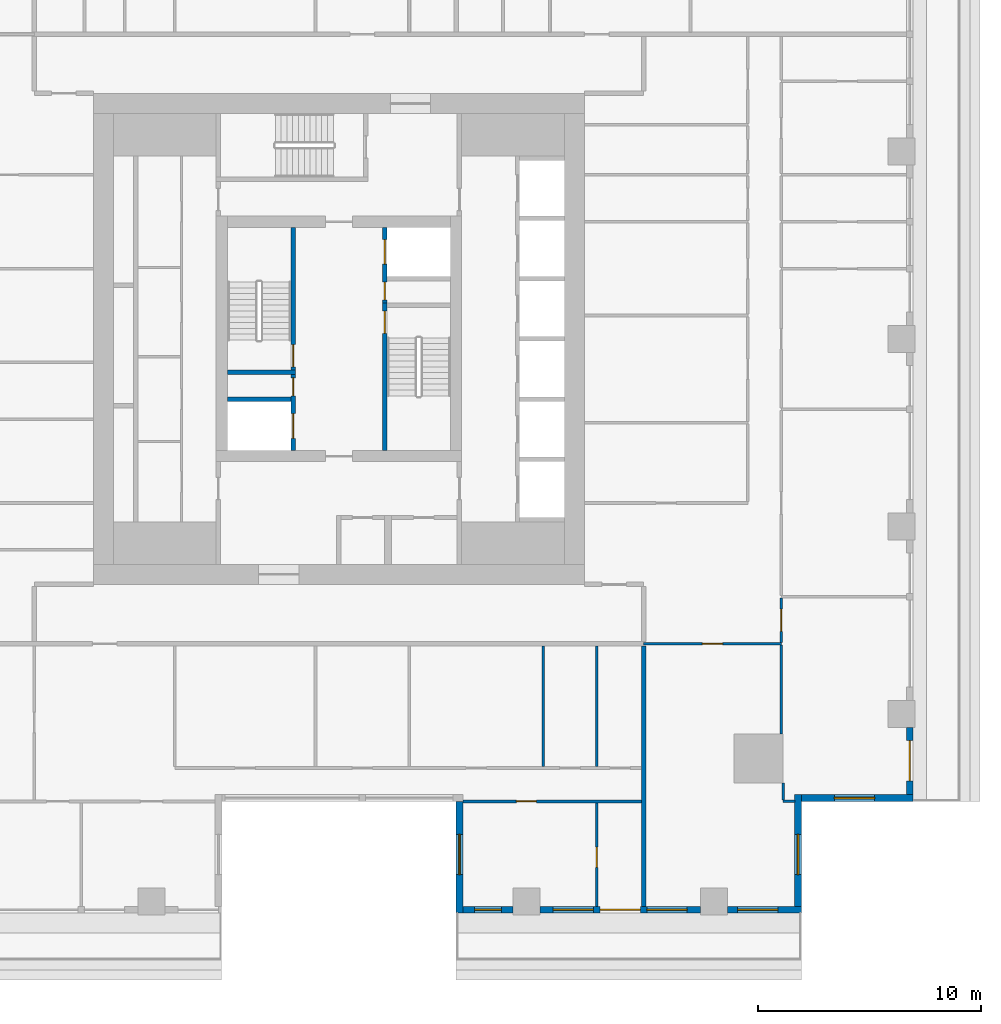
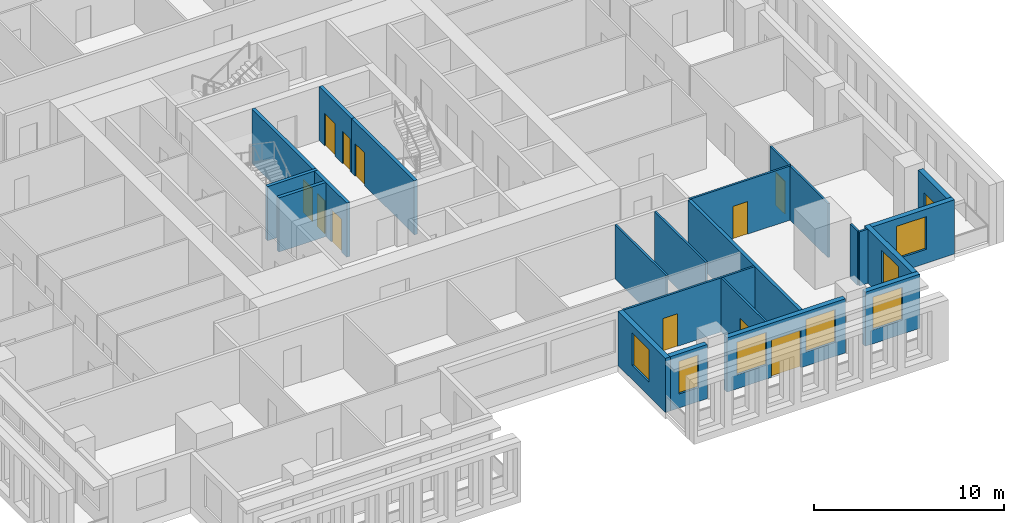
# One storey, part 4 of 15: 23 walls, 12 doors, 7 windows, 19 openings.
"""IFC4 building model written with IfcOpenShell, lengths in metres."""

from ifc_helpers import new_model, si_unit, direction, frame, frame_2d, origin, place, context, subcontext, project, spatial, rectangle, extrude, material, layer, layer_set, type_object, element, fill, save


model = new_model("IFC4")

# Units and contexts
model_context = context("Model", 3, precision=1e-05, world=origin(), true_north=direction((0.0, 1.0)))
body_context = subcontext(model_context, "Body", "Model", "MODEL_VIEW")
ifc_project = project(units=[si_unit("LENGTHUNIT", "METRE"), si_unit("AREAUNIT", "SQUARE_METRE"), si_unit("VOLUMEUNIT", "CUBIC_METRE"), si_unit("PLANEANGLEUNIT", "RADIAN"), si_unit("MASSUNIT", "GRAM", prefix="KILO")], contexts=[model_context])

# Site, building, storey
site_placement = place(None, origin())
site = spatial("IfcSite", under=ifc_project, at=site_placement, CompositionType="ELEMENT")
building_placement = place(site_placement, origin())
building = spatial("IfcBuilding", under=site, at=building_placement, Name="Khepri Terraces", CompositionType="ELEMENT")
storey_placement = place(building_placement, frame((0.0, 0.0, 252.300048828125)))
storey = spatial("IfcBuildingStorey", under=building, at=storey_placement, Name="L60", CompositionType="ELEMENT", Elevation=252.300048828125)

# Wall, opening, door
ifc_material_1 = material(Name="Concrete C40/50", Category="concrete")
ifc_layer_1 = layer(ifc_material_1, 0.199951171875, Name="Concrete C40/50", Category="concrete")
ifc_layer_set_1 = layer_set([ifc_layer_1], Name="Concrete C40/50")
wall_type_1 = type_object("IfcWallType", Name="Core wall 200 C40/50", PredefinedType="SHEAR", material=ifc_layer_set_1)
wall_1_placement = place(storey_placement, frame((2.050048828125, -5.0, 0.0), z_axis=(0.0, 0.0, 1.0), x_axis=(0.0, 1.0, 0.0)))
wall_1 = element("IfcWall", 1, at=wall_1_placement, inside=storey, type_object=wall_type_1, Name="Core wall ST01 L60", PredefinedType="SHEAR", context=body_context, shape_type="SweptSolid", body=[
    extrude(rectangle(XDim=6.60009765625, YDim=0.199951171875, at=frame_2d((3.300048828125, 0.0))), origin(), (0.0, 0.0, 1.0), 3.47998046875),
])
opening_1_placement = place(wall_1_placement, frame((5.25, 0.0, 0.0)))
opening_1 = element("IfcOpeningElement", 2, at=opening_1_placement, cuts=wall_1, Name="Opening L60-C10", PredefinedType="OPENING", context=body_context, shape_type="SweptSolid", body=[
    extrude(rectangle(XDim=1.0, YDim=2.10009765625, at=frame_2d((0.5, 1.050048828125))), frame((0.0, 0.10986328125, 0.0), z_axis=(0.0, -1.0, 0.0), x_axis=(1.0, 0.0, 0.0)), (0.0, 0.0, 1.0), 0.219970703125),
])
ifc_material_2 = material(Name="Painted steel", Category="steel")
door_type_1 = type_object("IfcDoorType", Name="DR-CORE-STAIR-1000", OperationType="NOTDEFINED", PredefinedType="DOOR", material=ifc_material_2)
door_1_placement = place(opening_1_placement, frame((1.0, 0.0, 0.0), z_axis=(0.0, 0.0, 1.0), x_axis=(-1.0, 0.0, 0.0)))
door_1 = element("IfcDoor", 3, at=door_1_placement, inside=storey, type_object=door_type_1, Name="Stair door L60-C10", OperationType="SINGLE_SWING_LEFT", OverallHeight=2.10009765625, OverallWidth=1.0, PredefinedType="DOOR", context=body_context, shape_type="SweptSolid", body=[
    extrude(rectangle(XDim=1.0, YDim=2.10009765625, at=frame_2d((0.5, 1.050048828125))), frame((0.0, 0.02490234375, 0.0), z_axis=(0.0, -1.0, 0.0), x_axis=(1.0, 0.0, 0.0)), (0.0, 0.0, 1.0), 0.050048828125),
])
fill(opening_1, door_1)

# Wall
wall_2_placement = place(storey_placement, frame((-5.0, -1.5, 0.0), z_axis=(0.0, 0.0, 1.0), x_axis=(1.0, 0.0, 0.0)))
element("IfcWall", 4, at=wall_2_placement, inside=storey, type_object=wall_type_1, Name="Core wall ST02 L60", PredefinedType="SHEAR", context=body_context, shape_type="SweptSolid", body=[
    extrude(rectangle(XDim=3.050048828125, YDim=0.199951171875, at=frame_2d((1.52490234375, 0.0))), origin(), (0.0, 0.0, 1.0), 3.47998046875),
])

# Wall, opening, door
wall_3_placement = place(storey_placement, frame((-2.050048828125, -1.39990234375, 0.0), z_axis=(0.0, 0.0, 1.0), x_axis=(0.0, 1.0, 0.0)))
wall_3 = element("IfcWall", 5, at=wall_3_placement, inside=storey, type_object=wall_type_1, Name="Core wall ST03 L60", PredefinedType="SHEAR", context=body_context, shape_type="SweptSolid", body=[
    extrude(rectangle(XDim=6.39990234375, YDim=0.199951171875, at=frame_2d((3.199951171875, 0.0))), origin(), (0.0, 0.0, 1.0), 3.47998046875),
])
opening_2_placement = place(wall_3_placement, frame((0.14990234375, 0.0, 0.0)))
opening_2 = element("IfcOpeningElement", 6, at=opening_2_placement, cuts=wall_3, Name="Opening L60-C09", PredefinedType="OPENING", context=body_context, shape_type="SweptSolid", body=[
    extrude(rectangle(XDim=1.0, YDim=2.10009765625, at=frame_2d((0.5, 1.050048828125))), frame((0.0, 0.10986328125, 0.0), z_axis=(0.0, -1.0, 0.0), x_axis=(1.0, 0.0, 0.0)), (0.0, 0.0, 1.0), 0.219970703125),
])
door_2_placement = place(opening_2_placement, origin())
door_2 = element("IfcDoor", 7, at=door_2_placement, inside=storey, type_object=door_type_1, Name="Stair door L60-C09", OperationType="SINGLE_SWING_LEFT", OverallHeight=2.10009765625, OverallWidth=1.0, PredefinedType="DOOR", context=body_context, shape_type="SweptSolid", body=[
    extrude(rectangle(XDim=1.0, YDim=2.10009765625, at=frame_2d((0.5, 1.050048828125))), frame((0.0, 0.02490234375, 0.0), z_axis=(0.0, -1.0, 0.0), x_axis=(1.0, 0.0, 0.0)), (0.0, 0.0, 1.0), 0.050048828125),
])
fill(opening_2, door_2)

# Wall, openings, doors
wall_4_placement = place(storey_placement, frame((-2.050048828125, -5.0, 0.0), z_axis=(0.0, 0.0, 1.0), x_axis=(0.0, 1.0, 0.0)))
wall_4 = element("IfcWall", 8, at=wall_4_placement, inside=storey, type_object=wall_type_1, Name="Core wall SH05 L60", PredefinedType="SHEAR", context=body_context, shape_type="SweptSolid", body=[
    extrude(rectangle(XDim=3.39990234375, YDim=0.199951171875, at=frame_2d((1.699951171875, 0.0))), origin(), (0.0, 0.0, 1.0), 3.47998046875),
])
opening_3_placement = place(wall_4_placement, frame((0.550048828125, 0.0, 0.0)))
opening_3 = element("IfcOpeningElement", 9, at=opening_3_placement, cuts=wall_4, Name="Opening L60-C08", PredefinedType="OPENING", context=body_context, shape_type="SweptSolid", body=[
    extrude(rectangle(XDim=1.10009765625, YDim=2.10009765625, at=frame_2d((0.550048828125, 1.050048828125))), frame((0.0, 0.10986328125, 0.0), z_axis=(0.0, -1.0, 0.0), x_axis=(1.0, 0.0, 0.0)), (0.0, 0.0, 1.0), 0.219970703125),
])
opening_4_placement = place(wall_4_placement, frame((2.449951171875, 0.0, 0.0)))
opening_4 = element("IfcOpeningElement", 10, at=opening_4_placement, cuts=wall_4, Name="Opening L60-C12", PredefinedType="OPENING", context=body_context, shape_type="SweptSolid", body=[
    extrude(rectangle(XDim=0.800048828125, YDim=2.10009765625, at=frame_2d((0.39990234375, 1.050048828125))), frame((0.0, 0.10986328125, 0.0), z_axis=(0.0, -1.0, 0.0), x_axis=(1.0, 0.0, 0.0)), (0.0, 0.0, 1.0), 0.219970703125),
])
ifc_material_3 = material(Name="Stainless steel 304", Category="steel")
door_type_2 = type_object("IfcDoorType", Name="DR-CORE-FF-LANDING-1100", OperationType="NOTDEFINED", PredefinedType="DOOR", material=ifc_material_3)
door_3_placement = place(opening_3_placement, origin())
door_3 = element("IfcDoor", 11, at=door_3_placement, inside=storey, type_object=door_type_2, Name="Firefighting lift landing door L60-C08", OperationType="SLIDING_TO_LEFT", OverallHeight=2.10009765625, OverallWidth=1.10009765625, PredefinedType="DOOR", context=body_context, shape_type="SweptSolid", body=[
    extrude(rectangle(XDim=1.10009765625, YDim=2.10009765625, at=frame_2d((0.550048828125, 1.050048828125))), frame((0.0, 0.02490234375, 0.0), z_axis=(0.0, -1.0, 0.0), x_axis=(1.0, 0.0, 0.0)), (0.0, 0.0, 1.0), 0.050048828125),
])
fill(opening_3, door_3)
door_type_3 = type_object("IfcDoorType", Name="DR-CORE-RISER-800", OperationType="NOTDEFINED", PredefinedType="DOOR", material=ifc_material_2)
door_4_placement = place(opening_4_placement, origin())
door_4 = element("IfcDoor", 12, at=door_4_placement, inside=storey, type_object=door_type_3, Name="Riser door L60-C12", OperationType="SINGLE_SWING_RIGHT", OverallHeight=2.10009765625, OverallWidth=0.800048828125, PredefinedType="DOOR", context=body_context, shape_type="SweptSolid", body=[
    extrude(rectangle(XDim=0.800048828125, YDim=2.10009765625, at=frame_2d((0.39990234375, 1.050048828125))), frame((0.0, 0.02490234375, 0.0), z_axis=(0.0, -1.0, 0.0), x_axis=(1.0, 0.0, 0.0)), (0.0, 0.0, 1.0), 0.050048828125),
])
fill(opening_4, door_4)

# Wall
wall_5_placement = place(storey_placement, frame((-5.0, -2.699951171875, 0.0), z_axis=(0.0, 0.0, 1.0), x_axis=(1.0, 0.0, 0.0)))
element("IfcWall", 13, at=wall_5_placement, inside=storey, type_object=wall_type_1, Name="Core wall SH07 L60", PredefinedType="SHEAR", context=body_context, shape_type="SweptSolid", body=[
    extrude(rectangle(XDim=2.85009765625, YDim=0.199951171875, at=frame_2d((1.425048828125, 0.0))), origin(), (0.0, 0.0, 1.0), 3.47998046875),
])

# Wall, openings, doors
wall_6_placement = place(storey_placement, frame((2.050048828125, 1.60009765625, 0.0), z_axis=(0.0, 0.0, 1.0), x_axis=(0.0, 1.0, 0.0)))
wall_6 = element("IfcWall", 14, at=wall_6_placement, inside=storey, type_object=wall_type_1, Name="Core wall SH10 L60", PredefinedType="SHEAR", context=body_context, shape_type="SweptSolid", body=[
    extrude(rectangle(XDim=3.39990234375, YDim=0.199951171875, at=frame_2d((1.699951171875, 0.0))), origin(), (0.0, 0.0, 1.0), 3.47998046875),
])
opening_5_placement = place(wall_6_placement, frame((1.75, 0.0, 0.0)))
opening_5 = element("IfcOpeningElement", 15, at=opening_5_placement, cuts=wall_6, Name="Opening L60-C07", PredefinedType="OPENING", context=body_context, shape_type="SweptSolid", body=[
    extrude(rectangle(XDim=1.10009765625, YDim=2.10009765625, at=frame_2d((0.550048828125, 1.050048828125))), frame((0.0, 0.10986328125, 0.0), z_axis=(0.0, -1.0, 0.0), x_axis=(1.0, 0.0, 0.0)), (0.0, 0.0, 1.0), 0.219970703125),
])
opening_6_placement = place(wall_6_placement, frame((0.14990234375, 0.0, 0.0)))
opening_6 = element("IfcOpeningElement", 16, at=opening_6_placement, cuts=wall_6, Name="Opening L60-C11", PredefinedType="OPENING", context=body_context, shape_type="SweptSolid", body=[
    extrude(rectangle(XDim=0.800048828125, YDim=2.10009765625, at=frame_2d((0.39990234375, 1.050048828125))), frame((0.0, 0.10986328125, 0.0), z_axis=(0.0, -1.0, 0.0), x_axis=(1.0, 0.0, 0.0)), (0.0, 0.0, 1.0), 0.219970703125),
])
door_5_placement = place(opening_5_placement, origin())
door_5 = element("IfcDoor", 17, at=door_5_placement, inside=storey, type_object=door_type_2, Name="Firefighting lift landing door L60-C07", OperationType="SLIDING_TO_LEFT", OverallHeight=2.10009765625, OverallWidth=1.10009765625, PredefinedType="DOOR", context=body_context, shape_type="SweptSolid", body=[
    extrude(rectangle(XDim=1.10009765625, YDim=2.10009765625, at=frame_2d((0.550048828125, 1.050048828125))), frame((0.0, 0.02490234375, 0.0), z_axis=(0.0, -1.0, 0.0), x_axis=(1.0, 0.0, 0.0)), (0.0, 0.0, 1.0), 0.050048828125),
])
fill(opening_5, door_5)
door_6_placement = place(opening_6_placement, frame((0.800048828125, 0.0, 0.0), z_axis=(0.0, 0.0, 1.0), x_axis=(-1.0, 0.0, 0.0)))
door_6 = element("IfcDoor", 18, at=door_6_placement, inside=storey, type_object=door_type_3, Name="Riser door L60-C11", OperationType="SINGLE_SWING_RIGHT", OverallHeight=2.10009765625, OverallWidth=0.800048828125, PredefinedType="DOOR", context=body_context, shape_type="SweptSolid", body=[
    extrude(rectangle(XDim=0.800048828125, YDim=2.10009765625, at=frame_2d((0.39990234375, 1.050048828125))), frame((0.0, 0.02490234375, 0.0), z_axis=(0.0, -1.0, 0.0), x_axis=(1.0, 0.0, 0.0)), (0.0, 0.0, 1.0), 0.050048828125),
])
fill(opening_6, door_6)

# Wall
ifc_material_4 = material(Name="Fire-rated gypsum plasterboard partition, mineral wool")
ifc_layer_2 = layer(ifc_material_4, 0.199951171875, Name="Fire-rated gypsum plasterboard partition, mineral wool")
ifc_layer_set_2 = layer_set([ifc_layer_2], Name="Fire-rated gypsum plasterboard partition, mineral wool")
wall_type_2 = type_object("IfcWallType", Name="WL-CORR-200", PredefinedType="PARTITIONING", material=ifc_layer_set_2)
wall_7_placement = place(storey_placement, frame((13.64990234375, -25.419921875, 0.0), z_axis=(0.0, 0.0, 1.0), x_axis=(0.0, 1.0, 0.0)))
element("IfcWall", 19, at=wall_7_placement, inside=storey, type_object=wall_type_2, Name="Partition P-003 L60", PredefinedType="PARTITIONING", context=body_context, shape_type="SweptSolid", body=[
    extrude(rectangle(XDim=11.669921875, YDim=0.199951171875, at=frame_2d((5.8349609375, 0.0))), origin(), (0.0, 0.0, 1.0), 3.47998046875),
])

# Wall, opening, window
ifc_material_5 = material(Name="Precast concrete C50/60 warm stone", Category="masonry")
ifc_layer_3 = layer(ifc_material_5, 0.300048828125, Name="Precast concrete C50/60 warm stone", Category="masonry")
ifc_layer_set_3 = layer_set([ifc_layer_3], Name="Precast concrete C50/60 warm stone")
wall_type_3 = type_object("IfcWallType", Name="WL-EXT-PRECAST-300", PredefinedType="STANDARD", material=ifc_layer_set_3)
wall_8_placement = place(storey_placement, frame((20.719970703125, -20.570068359375, 0.0), z_axis=(0.0, 0.0, 1.0), x_axis=(1.0, 0.0, 0.0)))
wall_8 = element("IfcWall", 20, at=wall_8_placement, inside=storey, type_object=wall_type_3, Name="External wall L60 S", PredefinedType="STANDARD", context=body_context, shape_type="SweptSolid", body=[
    extrude(rectangle(XDim=5.0, YDim=0.300048828125, at=frame_2d((2.5, 0.0))), origin(), (0.0, 0.0, 1.0), 3.47998046875),
])
opening_7_placement = place(wall_8_placement, frame((1.47998046875, 0.0, 0.89990234375)))
opening_7 = element("IfcOpeningElement", 21, at=opening_7_placement, cuts=wall_8, Name="Opening W1", PredefinedType="OPENING", context=body_context, shape_type="SweptSolid", body=[
    extrude(rectangle(XDim=1.800048828125, YDim=2.10009765625, at=frame_2d((0.89990234375, 1.050048828125))), frame((0.0, 0.16015625, 0.0), z_axis=(0.0, -1.0, 0.0), x_axis=(1.0, 0.0, 0.0)), (0.0, 0.0, 1.0), 0.320068359375),
])
ifc_material_6 = material(Name="Clear glass", Category="glass")
window_type_1 = type_object("IfcWindowType", Name="WIN-RES-1800x2100", PartitioningType="SINGLE_PANEL", PredefinedType="WINDOW", material=ifc_material_6)
window_1_placement = place(opening_7_placement, origin())
window_1 = element("IfcWindow", 22, at=window_1_placement, inside=storey, type_object=window_type_1, Name="Window L60 S", OverallHeight=2.10009765625, OverallWidth=1.800048828125, PartitioningType="SINGLE_PANEL", PredefinedType="WINDOW", context=body_context, shape_type="SweptSolid", body=[
    extrude(rectangle(XDim=1.800048828125, YDim=2.10009765625, at=frame_2d((0.89990234375, 1.050048828125))), frame((0.0, 0.030029296875, 0.0), z_axis=(0.0, -1.0, 0.0), x_axis=(1.0, 0.0, 0.0)), (0.0, 0.0, 1.0), 0.06005859375),
])
fill(opening_7, window_1)

# Wall, opening, door
wall_9_placement = place(storey_placement, frame((25.570068359375, -20.419921875, 0.0), z_axis=(0.0, 0.0, 1.0), x_axis=(0.0, 1.0, 0.0)))
wall_9 = element("IfcWall", 23, at=wall_9_placement, inside=storey, type_object=wall_type_3, Name="External wall L60 E", PredefinedType="STANDARD", context=body_context, shape_type="SweptSolid", body=[
    extrude(rectangle(XDim=3.02001953125, YDim=0.300048828125, at=frame_2d((1.510009765625, 0.0))), origin(), (0.0, 0.0, 1.0), 3.47998046875),
])
opening_8_placement = place(wall_9_placement, frame((0.6201171875, 0.0, 0.0)))
opening_8 = element("IfcOpeningElement", 24, at=opening_8_placement, cuts=wall_9, Name="Opening ED-L60-01", PredefinedType="OPENING", context=body_context, shape_type="SweptSolid", body=[
    extrude(rectangle(XDim=1.800048828125, YDim=2.39990234375, at=frame_2d((0.89990234375, 1.199951171875))), frame((0.0, 0.16015625, 0.0), z_axis=(0.0, -1.0, 0.0), x_axis=(1.0, 0.0, 0.0)), (0.0, 0.0, 1.0), 0.320068359375),
])
ifc_material_7 = material(Name="Anodised aluminium bronze glazed door", Category="aluminium")
door_type_4 = type_object("IfcDoorType", Name="DR-BAL-SLIDE-1800x2400", OperationType="NOTDEFINED", PredefinedType="DOOR", material=ifc_material_7)
door_7_placement = place(opening_8_placement, origin())
door_7 = element("IfcDoor", 25, at=door_7_placement, inside=storey, type_object=door_type_4, Name="Balcony door L60 E", OperationType="SLIDING_TO_RIGHT", OverallHeight=2.39990234375, OverallWidth=1.800048828125, PredefinedType="DOOR", context=body_context, shape_type="SweptSolid", body=[
    extrude(rectangle(XDim=1.800048828125, YDim=2.39990234375, at=frame_2d((0.89990234375, 1.199951171875))), frame((0.0, 0.02490234375, 0.0), z_axis=(0.0, -1.0, 0.0), x_axis=(1.0, 0.0, 0.0)), (0.0, 0.0, 1.0), 0.050048828125),
])
fill(opening_8, door_7)

# Wall, opening, window
wall_10_placement = place(storey_placement, frame((5.39990234375, -20.719970703125, 0.0), z_axis=(0.0, 0.0, 1.0), x_axis=(0.0, -1.0, 0.0)))
wall_10 = element("IfcWall", 26, at=wall_10_placement, inside=storey, type_object=wall_type_3, Name="External wall L60 W", PredefinedType="STANDARD", context=body_context, shape_type="SweptSolid", body=[
    extrude(rectangle(XDim=5.0, YDim=0.300048828125, at=frame_2d((2.5, 0.0))), origin(), (0.0, 0.0, 1.0), 3.47998046875),
])
opening_9_placement = place(wall_10_placement, frame((1.47998046875, 0.0, 0.89990234375)))
opening_9 = element("IfcOpeningElement", 27, at=opening_9_placement, cuts=wall_10, Name="Opening W1", PredefinedType="OPENING", context=body_context, shape_type="SweptSolid", body=[
    extrude(rectangle(XDim=1.800048828125, YDim=2.10009765625, at=frame_2d((0.89990234375, 1.050048828125))), frame((0.0, 0.16015625, 0.0), z_axis=(0.0, -1.0, 0.0), x_axis=(1.0, 0.0, 0.0)), (0.0, 0.0, 1.0), 0.320068359375),
])
window_2_placement = place(opening_9_placement, origin())
window_2 = element("IfcWindow", 28, at=window_2_placement, inside=storey, type_object=window_type_1, Name="Window L60 W", OverallHeight=2.10009765625, OverallWidth=1.800048828125, PartitioningType="SINGLE_PANEL", PredefinedType="WINDOW", context=body_context, shape_type="SweptSolid", body=[
    extrude(rectangle(XDim=1.800048828125, YDim=2.10009765625, at=frame_2d((0.89990234375, 1.050048828125))), frame((0.0, 0.030029296875, 0.0), z_axis=(0.0, -1.0, 0.0), x_axis=(1.0, 0.0, 0.0)), (0.0, 0.0, 1.0), 0.06005859375),
])
fill(opening_9, window_2)

wall_11_placement = place(storey_placement, frame((5.550048828125, -25.570068359375, 0.0), z_axis=(0.0, 0.0, 1.0), x_axis=(1.0, 0.0, 0.0)))
wall_11 = element("IfcWall", 29, at=wall_11_placement, inside=storey, type_object=wall_type_3, Name="External wall L60 S", PredefinedType="STANDARD", context=body_context, shape_type="SweptSolid", body=[
    extrude(rectangle(XDim=2.25, YDim=0.300048828125, at=frame_2d((1.125, 0.0))), origin(), (0.0, 0.0, 1.0), 3.47998046875),
])
opening_10_placement = place(wall_11_placement, frame((0.52490234375, 0.0, 0.89990234375)))
opening_10 = element("IfcOpeningElement", 30, at=opening_10_placement, cuts=wall_11, Name="Opening W4", PredefinedType="OPENING", context=body_context, shape_type="SweptSolid", body=[
    extrude(rectangle(XDim=1.199951171875, YDim=2.10009765625, at=frame_2d((0.60009765625, 1.050048828125))), frame((0.0, 0.16015625, 0.0), z_axis=(0.0, -1.0, 0.0), x_axis=(1.0, 0.0, 0.0)), (0.0, 0.0, 1.0), 0.320068359375),
])
window_type_2 = type_object("IfcWindowType", Name="WIN-RES-1200x2100", PartitioningType="SINGLE_PANEL", PredefinedType="WINDOW", material=ifc_material_6)
window_3_placement = place(opening_10_placement, origin())
window_3 = element("IfcWindow", 31, at=window_3_placement, inside=storey, type_object=window_type_2, Name="Window L60 S", OverallHeight=2.10009765625, OverallWidth=1.199951171875, PartitioningType="SINGLE_PANEL", PredefinedType="WINDOW", context=body_context, shape_type="SweptSolid", body=[
    extrude(rectangle(XDim=1.199951171875, YDim=2.10009765625, at=frame_2d((0.60009765625, 1.050048828125))), frame((0.0, 0.030029296875, 0.0), z_axis=(0.0, -1.0, 0.0), x_axis=(1.0, 0.0, 0.0)), (0.0, 0.0, 1.0), 0.06005859375),
])
fill(opening_10, window_3)

# Wall, openings, door, windows
wall_12_placement = place(storey_placement, frame((9.0, -25.570068359375, 0.0), z_axis=(0.0, 0.0, 1.0), x_axis=(1.0, 0.0, 0.0)))
wall_12 = element("IfcWall", 32, at=wall_12_placement, inside=storey, type_object=wall_type_3, Name="External wall L60 S", PredefinedType="STANDARD", context=body_context, shape_type="SweptSolid", body=[
    extrude(rectangle(XDim=7.199951171875, YDim=0.300048828125, at=frame_2d((3.60009765625, 0.0))), origin(), (0.0, 0.0, 1.0), 3.47998046875),
])
opening_11_placement = place(wall_12_placement, frame((0.60009765625, 0.0, 0.89990234375)))
opening_11 = element("IfcOpeningElement", 33, at=opening_11_placement, cuts=wall_12, Name="Opening W1", PredefinedType="OPENING", context=body_context, shape_type="SweptSolid", body=[
    extrude(rectangle(XDim=1.800048828125, YDim=2.10009765625, at=frame_2d((0.89990234375, 1.050048828125))), frame((0.0, 0.16015625, 0.0), z_axis=(0.0, -1.0, 0.0), x_axis=(1.0, 0.0, 0.0)), (0.0, 0.0, 1.0), 0.320068359375),
])
opening_12_placement = place(wall_12_placement, frame((2.699951171875, 0.0, 0.0)))
opening_12 = element("IfcOpeningElement", 34, at=opening_12_placement, cuts=wall_12, Name="Opening ED-L60-19", PredefinedType="OPENING", context=body_context, shape_type="SweptSolid", body=[
    extrude(rectangle(XDim=1.800048828125, YDim=2.39990234375, at=frame_2d((0.89990234375, 1.199951171875))), frame((0.0, 0.16015625, 0.0), z_axis=(0.0, -1.0, 0.0), x_axis=(1.0, 0.0, 0.0)), (0.0, 0.0, 1.0), 0.320068359375),
])
opening_13_placement = place(wall_12_placement, frame((4.800048828125, 0.0, 0.89990234375)))
opening_13 = element("IfcOpeningElement", 35, at=opening_13_placement, cuts=wall_12, Name="Opening W1", PredefinedType="OPENING", context=body_context, shape_type="SweptSolid", body=[
    extrude(rectangle(XDim=1.800048828125, YDim=2.10009765625, at=frame_2d((0.89990234375, 1.050048828125))), frame((0.0, 0.16015625, 0.0), z_axis=(0.0, -1.0, 0.0), x_axis=(1.0, 0.0, 0.0)), (0.0, 0.0, 1.0), 0.320068359375),
])
door_8_placement = place(opening_12_placement, origin())
door_8 = element("IfcDoor", 36, at=door_8_placement, inside=storey, type_object=door_type_4, Name="Balcony door L60 S", OperationType="SLIDING_TO_RIGHT", OverallHeight=2.39990234375, OverallWidth=1.800048828125, PredefinedType="DOOR", context=body_context, shape_type="SweptSolid", body=[
    extrude(rectangle(XDim=1.800048828125, YDim=2.39990234375, at=frame_2d((0.89990234375, 1.199951171875))), frame((0.0, 0.02490234375, 0.0), z_axis=(0.0, -1.0, 0.0), x_axis=(1.0, 0.0, 0.0)), (0.0, 0.0, 1.0), 0.050048828125),
])
fill(opening_12, door_8)
window_4_placement = place(opening_11_placement, origin())
window_4 = element("IfcWindow", 37, at=window_4_placement, inside=storey, type_object=window_type_1, Name="Window L60 S", OverallHeight=2.10009765625, OverallWidth=1.800048828125, PartitioningType="SINGLE_PANEL", PredefinedType="WINDOW", context=body_context, shape_type="SweptSolid", body=[
    extrude(rectangle(XDim=1.800048828125, YDim=2.10009765625, at=frame_2d((0.89990234375, 1.050048828125))), frame((0.0, 0.030029296875, 0.0), z_axis=(0.0, -1.0, 0.0), x_axis=(1.0, 0.0, 0.0)), (0.0, 0.0, 1.0), 0.06005859375),
])
fill(opening_11, window_4)
window_5_placement = place(opening_13_placement, origin())
window_5 = element("IfcWindow", 38, at=window_5_placement, inside=storey, type_object=window_type_1, Name="Window L60 S", OverallHeight=2.10009765625, OverallWidth=1.800048828125, PartitioningType="SINGLE_PANEL", PredefinedType="WINDOW", context=body_context, shape_type="SweptSolid", body=[
    extrude(rectangle(XDim=1.800048828125, YDim=2.10009765625, at=frame_2d((0.89990234375, 1.050048828125))), frame((0.0, 0.030029296875, 0.0), z_axis=(0.0, -1.0, 0.0), x_axis=(1.0, 0.0, 0.0)), (0.0, 0.0, 1.0), 0.06005859375),
])
fill(opening_13, window_5)

# Wall, opening, window
wall_13_placement = place(storey_placement, frame((17.39990234375, -25.570068359375, 0.0), z_axis=(0.0, 0.0, 1.0), x_axis=(1.0, 0.0, 0.0)))
wall_13 = element("IfcWall", 39, at=wall_13_placement, inside=storey, type_object=wall_type_3, Name="External wall L60 S", PredefinedType="STANDARD", context=body_context, shape_type="SweptSolid", body=[
    extrude(rectangle(XDim=3.320068359375, YDim=0.300048828125, at=frame_2d((1.66015625, 0.0))), origin(), (0.0, 0.0, 1.0), 3.47998046875),
])
opening_14_placement = place(wall_13_placement, frame((0.45947265625, 0.0, 0.89990234375)))
opening_14 = element("IfcOpeningElement", 40, at=opening_14_placement, cuts=wall_13, Name="Opening W1", PredefinedType="OPENING", context=body_context, shape_type="SweptSolid", body=[
    extrude(rectangle(XDim=1.800048828125, YDim=2.10009765625, at=frame_2d((0.89990234375, 1.050048828125))), frame((0.0, 0.16015625, 0.0), z_axis=(0.0, -1.0, 0.0), x_axis=(1.0, 0.0, 0.0)), (0.0, 0.0, 1.0), 0.320068359375),
])
window_6_placement = place(opening_14_placement, origin())
window_6 = element("IfcWindow", 41, at=window_6_placement, inside=storey, type_object=window_type_1, Name="Window L60 S", OverallHeight=2.10009765625, OverallWidth=1.800048828125, PartitioningType="SINGLE_PANEL", PredefinedType="WINDOW", context=body_context, shape_type="SweptSolid", body=[
    extrude(rectangle(XDim=1.800048828125, YDim=2.10009765625, at=frame_2d((0.89990234375, 1.050048828125))), frame((0.0, 0.030029296875, 0.0), z_axis=(0.0, -1.0, 0.0), x_axis=(1.0, 0.0, 0.0)), (0.0, 0.0, 1.0), 0.06005859375),
])
fill(opening_14, window_6)

wall_14_placement = place(storey_placement, frame((20.570068359375, -25.419921875, 0.0), z_axis=(0.0, 0.0, 1.0), x_axis=(0.0, 1.0, 0.0)))
wall_14 = element("IfcWall", 42, at=wall_14_placement, inside=storey, type_object=wall_type_3, Name="External wall L60 E", PredefinedType="STANDARD", context=body_context, shape_type="SweptSolid", body=[
    extrude(rectangle(XDim=5.0, YDim=0.300048828125, at=frame_2d((2.5, 0.0))), origin(), (0.0, 0.0, 1.0), 3.47998046875),
])
opening_15_placement = place(wall_14_placement, frame((1.419921875, 0.0, 0.89990234375)))
opening_15 = element("IfcOpeningElement", 43, at=opening_15_placement, cuts=wall_14, Name="Opening W1", PredefinedType="OPENING", context=body_context, shape_type="SweptSolid", body=[
    extrude(rectangle(XDim=1.800048828125, YDim=2.10009765625, at=frame_2d((0.89990234375, 1.050048828125))), frame((0.0, 0.16015625, 0.0), z_axis=(0.0, -1.0, 0.0), x_axis=(1.0, 0.0, 0.0)), (0.0, 0.0, 1.0), 0.320068359375),
])
window_7_placement = place(opening_15_placement, origin())
window_7 = element("IfcWindow", 44, at=window_7_placement, inside=storey, type_object=window_type_1, Name="Window L60 E", OverallHeight=2.10009765625, OverallWidth=1.800048828125, PartitioningType="SINGLE_PANEL", PredefinedType="WINDOW", context=body_context, shape_type="SweptSolid", body=[
    extrude(rectangle(XDim=1.800048828125, YDim=2.10009765625, at=frame_2d((0.89990234375, 1.050048828125))), frame((0.0, 0.030029296875, 0.0), z_axis=(0.0, -1.0, 0.0), x_axis=(1.0, 0.0, 0.0)), (0.0, 0.0, 1.0), 0.06005859375),
])
fill(opening_15, window_7)

# Wall, opening, door
ifc_material_8 = material(Name="Gypsum plasterboard partition")
ifc_layer_4 = layer(ifc_material_8, 0.1201171875, Name="Gypsum plasterboard partition")
ifc_layer_set_4 = layer_set([ifc_layer_4], Name="Gypsum plasterboard partition")
wall_type_4 = type_object("IfcWallType", Name="WL-PART-120", PredefinedType="PARTITIONING", material=ifc_layer_set_4)
wall_15_placement = place(storey_placement, frame((11.550048828125, -25.419921875, 0.0), z_axis=(0.0, 0.0, 1.0), x_axis=(0.0, 1.0, 0.0)))
wall_15 = element("IfcWall", 45, at=wall_15_placement, inside=storey, type_object=wall_type_4, Name="Partition P-002 L60", PredefinedType="PARTITIONING", context=body_context, shape_type="SweptSolid", body=[
    extrude(rectangle(XDim=4.639892578125, YDim=0.1201171875, at=frame_2d((2.31982421875, 0.0))), origin(), (0.0, 0.0, 1.0), 3.47998046875),
])
opening_16_placement = place(wall_15_placement, frame((1.75, 0.0, 0.0)))
opening_16 = element("IfcOpeningElement", 46, at=opening_16_placement, cuts=wall_15, Name="Opening D4", PredefinedType="OPENING", context=body_context, shape_type="SweptSolid", body=[
    extrude(rectangle(XDim=0.89990234375, YDim=2.10009765625, at=frame_2d((0.449951171875, 1.050048828125))), frame((0.0, 0.070068359375, 0.0), z_axis=(0.0, -1.0, 0.0), x_axis=(1.0, 0.0, 0.0)), (0.0, 0.0, 1.0), 0.14013671875),
])
ifc_material_9 = material(Name="Timber door leaf, moisture resistant", Category="wood")
door_type_5 = type_object("IfcDoorType", Name="DR-WET-900", OperationType="NOTDEFINED", PredefinedType="DOOR", material=ifc_material_9)
door_9_placement = place(opening_16_placement, frame((0.89990234375, 0.0, 0.0), z_axis=(0.0, 0.0, 1.0), x_axis=(-1.0, 0.0, 0.0)))
door_9 = element("IfcDoor", 47, at=door_9_placement, inside=storey, type_object=door_type_5, Name="Door Bathroom", OperationType="SINGLE_SWING_RIGHT", OverallHeight=2.10009765625, OverallWidth=0.89990234375, PredefinedType="DOOR", context=body_context, shape_type="SweptSolid", body=[
    extrude(rectangle(XDim=0.89990234375, YDim=2.10009765625, at=frame_2d((0.449951171875, 1.050048828125))), frame((0.0, 0.02490234375, 0.0), z_axis=(0.0, -1.0, 0.0), x_axis=(1.0, 0.0, 0.0)), (0.0, 0.0, 1.0), 0.050048828125),
])
fill(opening_16, door_9)

wall_16_placement = place(storey_placement, frame((5.550048828125, -20.719970703125, 0.0), z_axis=(0.0, 0.0, 1.0), x_axis=(1.0, 0.0, 0.0)))
wall_16 = element("IfcWall", 48, at=wall_16_placement, inside=storey, type_object=wall_type_4, Name="Partition P-005 L60", PredefinedType="PARTITIONING", context=body_context, shape_type="SweptSolid", body=[
    extrude(rectangle(XDim=8.0, YDim=0.1201171875, at=frame_2d((4.0, 0.0))), origin(), (0.0, 0.0, 1.0), 3.47998046875),
])
opening_17_placement = place(wall_16_placement, frame((2.39990234375, 0.0, 0.0)))
opening_17 = element("IfcOpeningElement", 49, at=opening_17_placement, cuts=wall_16, Name="Opening D3", PredefinedType="OPENING", context=body_context, shape_type="SweptSolid", body=[
    extrude(rectangle(XDim=0.89990234375, YDim=2.10009765625, at=frame_2d((0.449951171875, 1.050048828125))), frame((0.0, 0.070068359375, 0.0), z_axis=(0.0, -1.0, 0.0), x_axis=(1.0, 0.0, 0.0)), (0.0, 0.0, 1.0), 0.14013671875),
])
ifc_material_10 = material(Name="Timber door leaf", Category="wood")
door_type_6 = type_object("IfcDoorType", Name="DR-INT-900", OperationType="NOTDEFINED", PredefinedType="DOOR", material=ifc_material_10)
door_10_placement = place(opening_17_placement, frame((0.89990234375, 0.0, 0.0), z_axis=(0.0, 0.0, 1.0), x_axis=(-1.0, 0.0, 0.0)))
door_10 = element("IfcDoor", 50, at=door_10_placement, inside=storey, type_object=door_type_6, Name="Door Bedroom", OperationType="SINGLE_SWING_RIGHT", OverallHeight=2.10009765625, OverallWidth=0.89990234375, PredefinedType="DOOR", context=body_context, shape_type="SweptSolid", body=[
    extrude(rectangle(XDim=0.89990234375, YDim=2.10009765625, at=frame_2d((0.449951171875, 1.050048828125))), frame((0.0, 0.02490234375, 0.0), z_axis=(0.0, -1.0, 0.0), x_axis=(1.0, 0.0, 0.0)), (0.0, 0.0, 1.0), 0.050048828125),
])
fill(opening_17, door_10)

# Walls
wall_17_placement = place(storey_placement, frame((19.90087890625, -20.718994140625, 0.0), z_axis=(0.0, 0.0, 1.0), x_axis=(1.0, 0.0, 0.0)))
element("IfcWall", 51, at=wall_17_placement, inside=storey, type_object=wall_type_4, Name="Partition P-006 L60", PredefinedType="PARTITIONING", context=body_context, shape_type="SweptSolid", body=[
    extrude(rectangle(XDim=0.52001953125, YDim=0.1201171875, at=frame_2d((0.260009765625, 0.0))), origin(), (0.0, 0.0, 1.0), 3.47998046875),
])
wall_18_placement = place(storey_placement, frame((19.90087890625, -20.658935546875, 0.0), z_axis=(0.0, 0.0, 1.0), x_axis=(0.0, 1.0, 0.0)))
element("IfcWall", 52, at=wall_18_placement, inside=storey, type_object=wall_type_4, Name="Partition P-008 L60", PredefinedType="PARTITIONING", context=body_context, shape_type="SweptSolid", body=[
    extrude(rectangle(XDim=0.759033203125, YDim=0.1201171875, at=frame_2d((0.37939453125, 0.0))), origin(), (0.0, 0.0, 1.0), 3.47998046875),
])
for number, where, z_axis, x_axis, name in (
    (53, (9.14990234375, -19.159912109375, 0.0), (0.0, 0.0, 1.0), (0.0, 1.0, 0.0), "Partition P-013 L60"),
    (54, (11.550048828125, -19.159912109375, 0.0), (0.0, 0.0, 1.0), (0.0, 1.0, 0.0), "Partition P-014 L60"),
):
    element("IfcWall", number, at=place(storey_placement, frame(where, z_axis=z_axis, x_axis=x_axis)), inside=storey, type_object=wall_type_4, Name=name, PredefinedType="PARTITIONING", context=body_context, shape_type="SweptSolid", body=[
        extrude(rectangle(XDim=5.409912109375, YDim=0.1201171875, at=frame_2d((2.705078125, 0.0))), origin(), (0.0, 0.0, 1.0), 3.47998046875),
    ])
wall_19_placement = place(storey_placement, frame((19.820068359375, -17.699951171875, 0.0), z_axis=(0.0, 0.0, 1.0), x_axis=(0.0, 1.0, 0.0)))
element("IfcWall", 55, at=wall_19_placement, inside=storey, type_object=wall_type_4, Name="Partition P-015 L60", PredefinedType="PARTITIONING", context=body_context, shape_type="SweptSolid", body=[
    extrude(rectangle(XDim=3.989990234375, YDim=0.1201171875, at=frame_2d((1.9951171875, 0.0))), origin(), (0.0, 0.0, 1.0), 3.47998046875),
])

# Wall, opening, door
wall_20_placement = place(storey_placement, frame((13.64990234375, -13.64990234375, 0.0), z_axis=(0.0, 0.0, 1.0), x_axis=(1.0, 0.0, 0.0)))
wall_20 = element("IfcWall", 56, at=wall_20_placement, inside=storey, type_object=wall_type_4, Name="Partition P-017 L60", PredefinedType="PARTITIONING", context=body_context, shape_type="SweptSolid", body=[
    extrude(rectangle(XDim=6.170166015625, YDim=0.1201171875, at=frame_2d((3.0849609375, 0.0))), origin(), (0.0, 0.0, 1.0), 3.47998046875),
])
opening_18_placement = place(wall_20_placement, frame((2.635009765625, 0.0, 0.0)))
opening_18 = element("IfcOpeningElement", 57, at=opening_18_placement, cuts=wall_20, Name="Opening D3", PredefinedType="OPENING", context=body_context, shape_type="SweptSolid", body=[
    extrude(rectangle(XDim=0.89990234375, YDim=2.10009765625, at=frame_2d((0.449951171875, 1.050048828125))), frame((0.0, 0.070068359375, 0.0), z_axis=(0.0, -1.0, 0.0), x_axis=(1.0, 0.0, 0.0)), (0.0, 0.0, 1.0), 0.14013671875),
])
door_11_placement = place(opening_18_placement, frame((0.89990234375, 0.0, 0.0), z_axis=(0.0, 0.0, 1.0), x_axis=(-1.0, 0.0, 0.0)))
door_11 = element("IfcDoor", 58, at=door_11_placement, inside=storey, type_object=door_type_6, Name="Door Home Gym", OperationType="SINGLE_SWING_RIGHT", OverallHeight=2.10009765625, OverallWidth=0.89990234375, PredefinedType="DOOR", context=body_context, shape_type="SweptSolid", body=[
    extrude(rectangle(XDim=0.89990234375, YDim=2.10009765625, at=frame_2d((0.449951171875, 1.050048828125))), frame((0.0, 0.02490234375, 0.0), z_axis=(0.0, -1.0, 0.0), x_axis=(1.0, 0.0, 0.0)), (0.0, 0.0, 1.0), 0.050048828125),
])
fill(opening_18, door_11)

wall_21_placement = place(storey_placement, frame((19.820068359375, -13.590087890625, 0.0), z_axis=(0.0, 0.0, 1.0), x_axis=(0.0, 1.0, 0.0)))
wall_21 = element("IfcWall", 59, at=wall_21_placement, inside=storey, type_object=wall_type_4, Name="Partition P-018 L60", PredefinedType="PARTITIONING", context=body_context, shape_type="SweptSolid", body=[
    extrude(rectangle(XDim=1.97998046875, YDim=0.1201171875, at=frame_2d((0.989990234375, 0.0))), origin(), (0.0, 0.0, 1.0), 3.47998046875),
])
opening_19_placement = place(wall_21_placement, frame((0.489990234375, 0.0, 0.0)))
opening_19 = element("IfcOpeningElement", 60, at=opening_19_placement, cuts=wall_21, Name="Opening D2", PredefinedType="OPENING", context=body_context, shape_type="SweptSolid", body=[
    extrude(rectangle(XDim=1.0, YDim=2.10009765625, at=frame_2d((0.5, 1.050048828125))), frame((0.0, 0.070068359375, 0.0), z_axis=(0.0, -1.0, 0.0), x_axis=(1.0, 0.0, 0.0)), (0.0, 0.0, 1.0), 0.14013671875),
])
ifc_material_11 = material(Name="Timber door leaf, living room door", Category="wood")
door_type_7 = type_object("IfcDoorType", Name="DR-INT-1000", OperationType="NOTDEFINED", PredefinedType="DOOR", material=ifc_material_11)
door_12_placement = place(opening_19_placement, frame((1.0, 0.0, 0.0), z_axis=(0.0, 0.0, 1.0), x_axis=(-1.0, 0.0, 0.0)))
door_12 = element("IfcDoor", 61, at=door_12_placement, inside=storey, type_object=door_type_7, Name="Door Living Room", OperationType="SINGLE_SWING_RIGHT", OverallHeight=2.10009765625, OverallWidth=1.0, PredefinedType="DOOR", context=body_context, shape_type="SweptSolid", body=[
    extrude(rectangle(XDim=1.0, YDim=2.10009765625, at=frame_2d((0.5, 1.050048828125))), frame((0.0, 0.02490234375, 0.0), z_axis=(0.0, -1.0, 0.0), x_axis=(1.0, 0.0, 0.0)), (0.0, 0.0, 1.0), 0.050048828125),
])
fill(opening_19, door_12)

save(model, "model.ifc")
